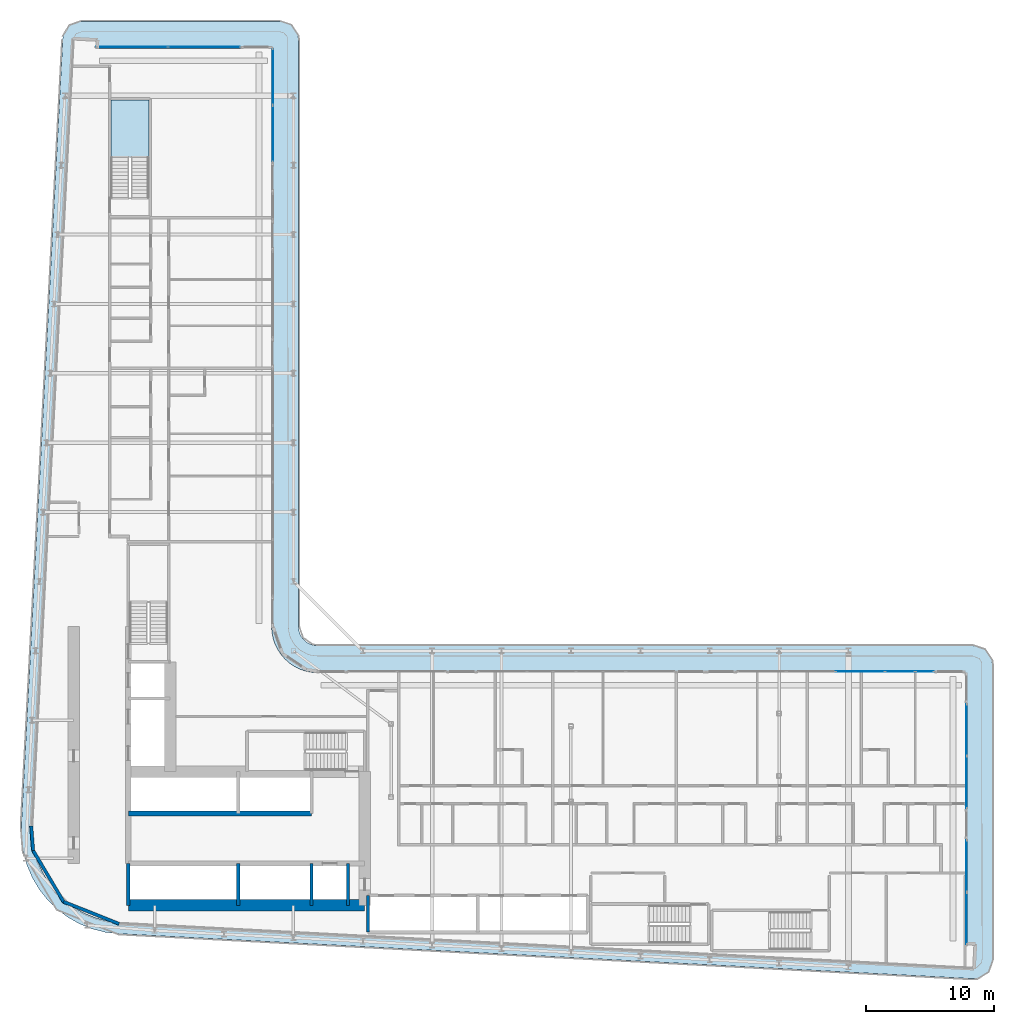
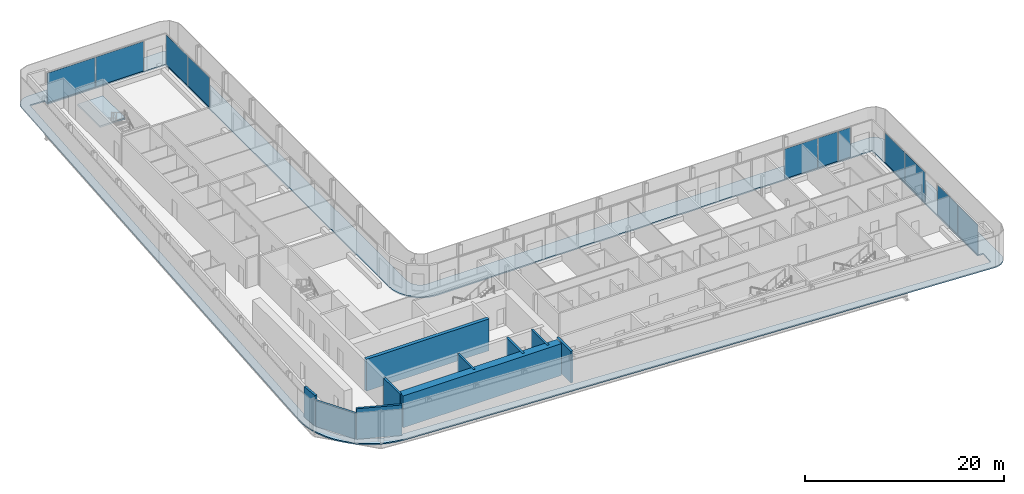
# One storey, part 11 of 26: 11 plates, 10 walls, 2 slabs, 6 elements without a shape of their own.
"""IFC4 building model written with IfcOpenShell, lengths in metres."""

from ifc_helpers import new_model, si_unit, direction, frame, frame_2d, origin, origin_2d, place, context, subcontext, project, spatial, polyline, rectangle, outline, extrude, material, layer, layer_set, type_object, element, aggregate, save


model = new_model("IFC4")

# Units and contexts
model_context = context("Model", 3, precision=1e-05, world=origin(), true_north=direction((0.0, 1.0)))
body_context = subcontext(model_context, "Body", "Model", "MODEL_VIEW")
ifc_project = project(units=[si_unit("LENGTHUNIT", "METRE"), si_unit("AREAUNIT", "SQUARE_METRE"), si_unit("VOLUMEUNIT", "CUBIC_METRE"), si_unit("PLANEANGLEUNIT", "RADIAN"), si_unit("MASSUNIT", "GRAM", prefix="KILO")], contexts=[model_context])

# Site, building, storey
site_placement = place(None, origin())
site = spatial("IfcSite", under=ifc_project, at=site_placement, CompositionType="ELEMENT")
building_placement = place(site_placement, origin())
building = spatial("IfcBuilding", under=site, at=building_placement, Name="Kheshtan School and Residences Tower", CompositionType="ELEMENT")
storey_placement = place(building_placement, frame((0.0, 0.0, 105.800048828125)))
storey = spatial("IfcBuildingStorey", under=building, at=storey_placement, Name="L24", CompositionType="ELEMENT", Elevation=105.800048828125)

# Curtain wall, plates
ifc_material_1 = material(Name="Clear low-e glass in thermally broken aluminium frame", Category="aluminium")
ifc_layer_1 = layer(ifc_material_1, 0.199951171875)
ifc_layer_set_1 = layer_set([ifc_layer_1], Name="Curtain wall CW-L")
curtain_wall_type = type_object("IfcCurtainWallType", Name="Curtain wall CW-L", PredefinedType="NOTDEFINED", material=ifc_layer_set_1)
curtain_wall_1_placement = place(storey_placement, origin())
curtain_wall_1 = element("IfcCurtainWall", 1, at=curtain_wall_1_placement, inside=storey, type_object=curtain_wall_type, Name="Curtain wall CWL3a", PredefinedType="NOTDEFINED")
ifc_layer_2 = layer(ifc_material_1, 0.031982421875)
ifc_layer_set_2 = layer_set([ifc_layer_2], Name="CW-L glass panel")
plate_type = type_object("IfcPlateType", Name="CW-L glass panel", PredefinedType="CURTAIN_PANEL", material=ifc_layer_set_2)
plate_1_placement = place(storey_placement, frame((35.0458984375, 92.60009765625, 0.0), z_axis=(0.0, 0.0, 1.0), x_axis=(1.0, 0.0, 0.0)))
plate_1 = element("IfcPlate", 2, at=plate_1_placement, type_object=plate_type, Name="CWL3a panel 1.1", PredefinedType="CURTAIN_PANEL", context=body_context, shape_type="SweptSolid", body=[
    extrude(rectangle(XDim=5.555908203125, YDim=0.031982421875, at=origin_2d()), origin(), (0.0, 0.0, 1.0), 3.6298828125),
])
plate_2_placement = place(storey_placement, frame((40.662109375, 92.60009765625, 0.0), z_axis=(0.0, 0.0, 1.0), x_axis=(1.0, 0.0, 0.0)))
plate_2 = element("IfcPlate", 3, at=plate_2_placement, type_object=plate_type, Name="CWL3a panel 2.1", PredefinedType="CURTAIN_PANEL", context=body_context, shape_type="SweptSolid", body=[
    extrude(rectangle(XDim=5.555908203125, YDim=0.031982421875, at=origin_2d()), origin(), (0.0, 0.0, 1.0), 3.6298828125),
])
aggregate(curtain_wall_1, [plate_1, plate_2])

curtain_wall_2_placement = place(storey_placement, origin())
curtain_wall_2 = element("IfcCurtainWall", 4, at=curtain_wall_2_placement, inside=storey, type_object=curtain_wall_type, Name="Curtain wall CWL4b", PredefinedType="NOTDEFINED")
plate_3_placement = place(storey_placement, frame((46.0, 90.26806640625, 0.0), z_axis=(0.0, 0.0, 1.0), x_axis=(0.0, -1.0, 0.0)))
plate_3 = element("IfcPlate", 5, at=plate_3_placement, type_object=plate_type, Name="CWL4b panel 1.1", PredefinedType="CURTAIN_PANEL", context=body_context, shape_type="SweptSolid", body=[
    extrude(rectangle(XDim=4.34375, YDim=0.031982421875, at=origin_2d()), origin(), (0.0, 0.0, 1.0), 3.6298828125),
])
plate_4_placement = place(storey_placement, frame((46.0, 85.8642578125, 0.0), z_axis=(0.0, 0.0, 1.0), x_axis=(0.0, -1.0, 0.0)))
plate_4 = element("IfcPlate", 6, at=plate_4_placement, type_object=plate_type, Name="CWL4b panel 2.1", PredefinedType="CURTAIN_PANEL", context=body_context, shape_type="SweptSolid", body=[
    extrude(rectangle(XDim=4.34375, YDim=0.031982421875, at=origin_2d()), origin(), (0.0, 0.0, 1.0), 3.6298828125),
])
aggregate(curtain_wall_2, [plate_3, plate_4])

curtain_wall_3_placement = place(storey_placement, origin())
curtain_wall_3 = element("IfcCurtainWall", 7, at=curtain_wall_3_placement, inside=storey, type_object=curtain_wall_type, Name="Curtain wall CWL8c", PredefinedType="NOTDEFINED")
plate_5_placement = place(storey_placement, frame((91.714599609375, 44.0, 0.0), z_axis=(0.0, 0.0, 1.0), x_axis=(1.0, 0.0, 0.0)))
plate_5 = element("IfcPlate", 8, at=plate_5_placement, type_object=plate_type, Name="CWL8c panel 1.1", PredefinedType="CURTAIN_PANEL", context=body_context, shape_type="SweptSolid", body=[
    extrude(rectangle(XDim=3.81689453125, YDim=0.031982421875, at=origin_2d()), origin(), (0.0, 0.0, 1.0), 3.6298828125),
])
plate_6_placement = place(storey_placement, frame((94.826416015625, 44.0, 0.0), z_axis=(0.0, 0.0, 1.0), x_axis=(1.0, 0.0, 0.0)))
plate_6 = element("IfcPlate", 9, at=plate_6_placement, type_object=plate_type, Name="CWL8c panel 2.1", PredefinedType="CURTAIN_PANEL", context=body_context, shape_type="SweptSolid", body=[
    extrude(rectangle(XDim=2.287109375, YDim=0.031982421875, at=origin_2d()), origin(), (0.0, 0.0, 1.0), 3.6298828125),
])
plate_7_placement = place(storey_placement, frame((96.735107421875, 44.0, 0.0), z_axis=(0.0, 0.0, 1.0), x_axis=(1.0, 0.0, 0.0)))
plate_7 = element("IfcPlate", 10, at=plate_7_placement, type_object=plate_type, Name="CWL8c panel 3.1", PredefinedType="CURTAIN_PANEL", context=body_context, shape_type="SweptSolid", body=[
    extrude(rectangle(XDim=1.409912109375, YDim=0.031982421875, at=origin_2d()), origin(), (0.0, 0.0, 1.0), 3.6298828125),
])
aggregate(curtain_wall_3, [plate_5, plate_6, plate_7])

curtain_wall_4_placement = place(storey_placement, origin())
curtain_wall_4 = element("IfcCurtainWall", 11, at=curtain_wall_4_placement, inside=storey, type_object=curtain_wall_type, Name="Curtain wall CWL9", PredefinedType="NOTDEFINED")
plate_8_placement = place(storey_placement, frame((100.0, 39.436767578125, 0.0), z_axis=(0.0, 0.0, 1.0), x_axis=(0.0, -1.0, 0.0)))
plate_8 = element("IfcPlate", 12, at=plate_8_placement, type_object=plate_type, Name="CWL9 panel 1.1", PredefinedType="CURTAIN_PANEL", context=body_context, shape_type="SweptSolid", body=[
    extrude(rectangle(XDim=4.006591796875, YDim=0.031982421875, at=origin_2d()), origin(), (0.0, 0.0, 1.0), 3.6298828125),
])
plate_9_placement = place(storey_placement, frame((100.0, 35.370361328125, 0.0), z_axis=(0.0, 0.0, 1.0), x_axis=(0.0, -1.0, 0.0)))
plate_9 = element("IfcPlate", 13, at=plate_9_placement, type_object=plate_type, Name="CWL9 panel 2.1", PredefinedType="CURTAIN_PANEL", context=body_context, shape_type="SweptSolid", body=[
    extrude(rectangle(XDim=4.006591796875, YDim=0.031982421875, at=origin_2d()), origin(), (0.0, 0.0, 1.0), 3.6298828125),
])
aggregate(curtain_wall_4, [plate_8, plate_9])

curtain_wall_5_placement = place(storey_placement, origin())
curtain_wall_5 = element("IfcCurtainWall", 14, at=curtain_wall_5_placement, inside=storey, type_object=curtain_wall_type, Name="Curtain wall CWL9", PredefinedType="NOTDEFINED")
plate_10_placement = place(storey_placement, frame((100.0, 28.84375, 0.0), z_axis=(0.0, 0.0, 1.0), x_axis=(0.0, -1.0, 0.0)))
plate_10 = element("IfcPlate", 15, at=plate_10_placement, type_object=plate_type, Name="CWL9 panel 1.1", PredefinedType="CURTAIN_PANEL", context=body_context, shape_type="SweptSolid", body=[
    extrude(rectangle(XDim=4.006591796875, YDim=0.031982421875, at=origin_2d()), origin(), (0.0, 0.0, 1.0), 3.6298828125),
])
plate_11_placement = place(storey_placement, frame((100.0, 24.77734375, 0.0), z_axis=(0.0, 0.0, 1.0), x_axis=(0.0, -1.0, 0.0)))
plate_11 = element("IfcPlate", 16, at=plate_11_placement, type_object=plate_type, Name="CWL9 panel 2.1", PredefinedType="CURTAIN_PANEL", context=body_context, shape_type="SweptSolid", body=[
    extrude(rectangle(XDim=4.006591796875, YDim=0.031982421875, at=origin_2d()), origin(), (0.0, 0.0, 1.0), 3.6298828125),
])
aggregate(curtain_wall_5, [plate_10, plate_11])

# Slab
ifc_material_2 = material(Name="Concrete C40/50", Category="concrete")
ifc_layer_3 = layer(ifc_material_2, 0.14990234375)
ifc_layer_set_3 = layer_set([ifc_layer_3], Name="Loggia balcony slab 150 Concrete C40/50")
slab_type_1 = type_object("IfcSlabType", Name="Loggia balcony slab 150 Concrete C40/50", PredefinedType="FLOOR", material=ifc_layer_set_3)
slab_1_placement = place(storey_placement, frame((0.0, 0.0, -0.150146484375)))
element("IfcSlab", 17, at=slab_1_placement, inside=storey, type_object=slab_type_1, Name="Loggia balcony slab L24", PredefinedType="FLOOR", context=body_context, shape_type="SweptSolid", body=[
    extrude(outline(polyline([(28.4580078125, 26.222900390625), (28.45703125, 26.222900390625), (28.45703125, 26.22412109375), (28.4560546875, 26.22412109375), (27.81494140625, 27.0390625), (27.281005859375, 27.93798828125), (26.867919921875, 28.89990234375), (26.583984375, 29.89990234375), (26.583984375, 29.906982421875), (26.43408203125, 30.943115234375), (26.419921875, 31.989013671875), (29.64111328125, 93.178955078125), (29.64697265625, 93.22705078125), (29.64697265625, 93.22802734375), (29.64599609375, 93.22802734375), (29.64599609375, 93.22900390625), (29.64501953125, 93.22900390625), (29.64501953125, 93.22998046875), (29.64404296875, 93.22998046875), (29.64404296875, 93.23095703125), (29.64306640625, 93.23095703125), (29.64306640625, 93.23193359375), (29.64306640625, 93.23291015625), (29.660888671875, 93.381103515625), (29.660888671875, 93.384033203125), (29.660888671875, 93.385009765625), (29.662109375, 93.385009765625), (29.662109375, 93.385986328125), (29.6630859375, 93.385986328125), (29.6630859375, 93.386962890625), (29.6640625, 93.386962890625), (29.6650390625, 93.386962890625), (29.6650390625, 93.387939453125), (29.666015625, 93.387939453125), (29.666015625, 93.388916015625), (29.666015625, 93.39111328125), (29.718994140625, 93.583984375), (29.799072265625, 93.77490234375), (29.905029296875, 93.952880859375), (30.027099609375, 94.10693359375), (30.028076171875, 94.10693359375), (30.028076171875, 94.10791015625), (30.029052734375, 94.10791015625), (30.029052734375, 94.10888671875), (30.030029296875, 94.10888671875), (30.030029296875, 94.110107421875), (30.031005859375, 94.110107421875), (30.031005859375, 94.111083984375), (30.031982421875, 94.111083984375), (30.031982421875, 94.112060546875), (30.032958984375, 94.112060546875), (30.032958984375, 94.113037109375), (30.033935546875, 94.113037109375), (30.037109375, 94.113037109375), (30.0380859375, 94.113037109375), (30.0380859375, 94.114013671875), (30.18408203125, 94.257080078125), (30.18505859375, 94.257080078125), (30.18505859375, 94.258056640625), (30.18603515625, 94.258056640625), (30.18603515625, 94.259033203125), (30.18701171875, 94.259033203125), (30.18701171875, 94.260009765625), (30.18798828125, 94.260009765625), (30.18798828125, 94.260986328125), (30.18896484375, 94.260986328125), (30.18896484375, 94.261962890625), (30.18994140625, 94.261962890625), (30.18994140625, 94.262939453125), (30.19091796875, 94.262939453125), (30.19091796875, 94.263916015625), (30.35205078125, 94.376953125), (30.534912109375, 94.472900390625), (30.722900390625, 94.54296875), (30.72998046875, 94.54296875), (30.93310546875, 94.5859375), (31.138916015625, 94.60009765625), (46.5, 94.60009765625), (46.696044921875, 94.5869140625), (46.887939453125, 94.549072265625), (46.89501953125, 94.549072265625), (47.073974609375, 94.486083984375), (47.242919921875, 94.40087890625), (47.243896484375, 94.40087890625), (47.2470703125, 94.40087890625), (47.248046875, 94.40087890625), (47.248046875, 94.402099609375), (47.2490234375, 94.402099609375), (47.2490234375, 94.403076171875), (47.25, 94.403076171875), (47.2529296875, 94.403076171875), (47.25390625, 94.403076171875), (47.25390625, 94.402099609375), (47.2548828125, 94.402099609375), (47.2548828125, 94.40087890625), (47.256103515625, 94.40087890625), (47.256103515625, 94.39990234375), (47.257080078125, 94.39990234375), (47.257080078125, 94.39892578125), (47.258056640625, 94.39892578125), (47.258056640625, 94.39794921875), (47.412109375, 94.2958984375), (47.4130859375, 94.2958984375), (47.4130859375, 94.294921875), (47.4140625, 94.294921875), (47.4140625, 94.2939453125), (47.4140625, 94.2900390625), (47.4140625, 94.2890625), (47.4150390625, 94.2890625), (47.4150390625, 94.2880859375), (47.416015625, 94.2880859375), (47.416015625, 94.287109375), (47.4169921875, 94.287109375), (47.4169921875, 94.285888671875), (47.554931640625, 94.16796875), (47.554931640625, 94.1669921875), (47.555908203125, 94.1669921875), (47.555908203125, 94.166015625), (47.556884765625, 94.166015625), (47.556884765625, 94.1650390625), (47.55810546875, 94.1650390625), (47.55810546875, 94.1640625), (47.55908203125, 94.1640625), (47.55908203125, 94.1630859375), (47.56005859375, 94.1630859375), (47.56005859375, 94.162109375), (47.56103515625, 94.162109375), (47.56201171875, 94.160888671875), (47.56201171875, 94.159912109375), (47.56298828125, 94.159912109375), (47.56298828125, 94.158935546875), (47.56396484375, 94.158935546875), (47.56396484375, 94.157958984375), (47.56494140625, 94.157958984375), (47.56494140625, 94.156982421875), (47.56591796875, 94.156982421875), (47.56591796875, 94.156005859375), (47.56689453125, 94.156005859375), (47.56689453125, 94.155029296875), (47.568115234375, 94.155029296875), (47.68505859375, 94.01806640625), (47.68603515625, 94.01806640625), (47.68603515625, 94.01708984375), (47.68701171875, 94.01708984375), (47.68701171875, 94.01611328125), (47.68798828125, 94.01611328125), (47.68798828125, 94.014892578125), (47.68896484375, 94.014892578125), (47.68896484375, 94.013916015625), (47.68994140625, 94.013916015625), (47.694091796875, 94.013916015625), (47.695068359375, 94.013916015625), (47.695068359375, 94.012939453125), (47.696044921875, 94.012939453125), (47.696044921875, 94.011962890625), (47.797119140625, 93.85888671875), (47.798095703125, 93.85888671875), (47.798095703125, 93.85791015625), (47.799072265625, 93.85791015625), (47.799072265625, 93.85693359375), (47.800048828125, 93.85693359375), (47.800048828125, 93.85595703125), (47.801025390625, 93.85595703125), (47.801025390625, 93.85498046875), (47.802001953125, 93.85498046875), (47.802001953125, 93.85400390625), (47.802978515625, 93.85400390625), (47.802978515625, 93.85302734375), (47.802978515625, 93.85009765625), (47.802978515625, 93.84912109375), (47.802001953125, 93.84912109375), (47.802001953125, 93.847900390625), (47.801025390625, 93.847900390625), (47.801025390625, 93.846923828125), (47.801025390625, 93.843994140625), (47.801025390625, 93.843017578125), (47.885986328125, 93.674072265625), (47.948974609375, 93.4951171875), (47.948974609375, 93.488037109375), (47.987060546875, 93.2958984375), (48.0, 93.10009765625), (48.0, 47.5), (48.012939453125, 47.303955078125), (48.051025390625, 47.113037109375), (48.051025390625, 47.10693359375), (48.051025390625, 47.10595703125), (48.114013671875, 46.926025390625), (48.200927734375, 46.75), (48.31005859375, 46.5869140625), (48.431884765625, 46.444091796875), (48.43310546875, 46.444091796875), (48.43310546875, 46.443115234375), (48.43408203125, 46.443115234375), (48.43408203125, 46.44189453125), (48.43505859375, 46.44189453125), (48.43505859375, 46.44091796875), (48.43603515625, 46.44091796875), (48.43603515625, 46.43994140625), (48.43701171875, 46.43994140625), (48.43701171875, 46.43896484375), (48.43798828125, 46.43896484375), (48.43896484375, 46.43798828125), (48.43896484375, 46.43701171875), (48.43994140625, 46.43701171875), (48.43994140625, 46.43603515625), (48.44091796875, 46.43603515625), (48.44091796875, 46.43505859375), (48.44189453125, 46.43505859375), (48.44189453125, 46.43408203125), (48.443115234375, 46.43408203125), (48.443115234375, 46.43310546875), (48.444091796875, 46.43310546875), (48.444091796875, 46.431884765625), (48.5869140625, 46.31005859375), (48.75, 46.200927734375), (48.926025390625, 46.114013671875), (49.10595703125, 46.051025390625), (49.10693359375, 46.051025390625), (49.113037109375, 46.051025390625), (49.303955078125, 46.012939453125), (49.5, 46.0), (100.5, 46.0), (100.696044921875, 45.987060546875), (100.887939453125, 45.948974609375), (100.89501953125, 45.948974609375), (101.073974609375, 45.885986328125), (101.241943359375, 45.801025390625), (101.242919921875, 45.801025390625), (101.2470703125, 45.801025390625), (101.248046875, 45.801025390625), (101.248046875, 45.802001953125), (101.2490234375, 45.802001953125), (101.2490234375, 45.802978515625), (101.25, 45.802978515625), (101.2529296875, 45.802978515625), (101.25390625, 45.802978515625), (101.25390625, 45.802001953125), (101.2548828125, 45.802001953125), (101.2548828125, 45.801025390625), (101.256103515625, 45.801025390625), (101.256103515625, 45.800048828125), (101.257080078125, 45.800048828125), (101.257080078125, 45.799072265625), (101.258056640625, 45.799072265625), (101.258056640625, 45.798095703125), (101.259033203125, 45.798095703125), (101.259033203125, 45.797119140625), (101.260009765625, 45.797119140625), (101.260009765625, 45.7958984375), (101.412109375, 45.696044921875), (101.4130859375, 45.696044921875), (101.4130859375, 45.695068359375), (101.4140625, 45.695068359375), (101.4140625, 45.694091796875), (101.4140625, 45.68994140625), (101.4140625, 45.68896484375), (101.4150390625, 45.68896484375), (101.4150390625, 45.68798828125), (101.416015625, 45.68798828125), (101.416015625, 45.68701171875), (101.4169921875, 45.68701171875), (101.4169921875, 45.68603515625), (101.41796875, 45.68603515625), (101.41796875, 45.68505859375), (101.4189453125, 45.68505859375), (101.4189453125, 45.68408203125), (101.554931640625, 45.568115234375), (101.554931640625, 45.56689453125), (101.555908203125, 45.56689453125), (101.555908203125, 45.56591796875), (101.556884765625, 45.56591796875), (101.556884765625, 45.56494140625), (101.55810546875, 45.56494140625), (101.55810546875, 45.56396484375), (101.55908203125, 45.56396484375), (101.55908203125, 45.56298828125), (101.56005859375, 45.56298828125), (101.56005859375, 45.56201171875), (101.56103515625, 45.56201171875), (101.56201171875, 45.56103515625), (101.56201171875, 45.56005859375), (101.56298828125, 45.56005859375), (101.56298828125, 45.55908203125), (101.56396484375, 45.55908203125), (101.56396484375, 45.55810546875), (101.56494140625, 45.55810546875), (101.56494140625, 45.556884765625), (101.56591796875, 45.556884765625), (101.56591796875, 45.555908203125), (101.56689453125, 45.555908203125), (101.56689453125, 45.554931640625), (101.568115234375, 45.554931640625), (101.681884765625, 45.4208984375), (101.68310546875, 45.4208984375), (101.68310546875, 45.419921875), (101.68408203125, 45.419921875), (101.68408203125, 45.4189453125), (101.68505859375, 45.4189453125), (101.68505859375, 45.41796875), (101.68603515625, 45.41796875), (101.68603515625, 45.4169921875), (101.68701171875, 45.4169921875), (101.68701171875, 45.416015625), (101.68798828125, 45.416015625), (101.68798828125, 45.4150390625), (101.68896484375, 45.4150390625), (101.68896484375, 45.4140625), (101.68994140625, 45.4140625), (101.694091796875, 45.4140625), (101.695068359375, 45.4140625), (101.695068359375, 45.4130859375), (101.696044921875, 45.4130859375), (101.696044921875, 45.412109375), (101.7939453125, 45.261962890625), (101.794921875, 45.261962890625), (101.794921875, 45.260986328125), (101.7958984375, 45.260986328125), (101.7958984375, 45.260009765625), (101.797119140625, 45.260009765625), (101.797119140625, 45.259033203125), (101.798095703125, 45.259033203125), (101.798095703125, 45.258056640625), (101.799072265625, 45.258056640625), (101.799072265625, 45.257080078125), (101.800048828125, 45.257080078125), (101.800048828125, 45.256103515625), (101.801025390625, 45.256103515625), (101.801025390625, 45.2548828125), (101.802001953125, 45.2548828125), (101.802001953125, 45.25390625), (101.802978515625, 45.25390625), (101.802978515625, 45.2529296875), (101.802978515625, 45.25), (101.802978515625, 45.2490234375), (101.802001953125, 45.2490234375), (101.802001953125, 45.248046875), (101.801025390625, 45.248046875), (101.801025390625, 45.2470703125), (101.801025390625, 45.240966796875), (101.801025390625, 45.239990234375), (101.885986328125, 45.073974609375), (101.948974609375, 44.89501953125), (101.948974609375, 44.887939453125), (101.987060546875, 44.696044921875), (102.0, 44.5), (102.0, 21.5810546875), (101.986083984375, 21.37890625), (101.945068359375, 21.179931640625), (101.945068359375, 21.173095703125), (101.8779296875, 20.989013671875), (101.785888671875, 20.80810546875), (101.6708984375, 20.64306640625), (101.6708984375, 20.64208984375), (101.6708984375, 20.64111328125), (101.6708984375, 20.639892578125), (101.672119140625, 20.639892578125), (101.672119140625, 20.638916015625), (101.672119140625, 20.636962890625), (101.672119140625, 20.635986328125), (101.6708984375, 20.635986328125), (101.6708984375, 20.635009765625), (101.5380859375, 20.491943359375), (101.534912109375, 20.489013671875), (101.533935546875, 20.489013671875), (101.533935546875, 20.488037109375), (101.532958984375, 20.488037109375), (101.531005859375, 20.488037109375), (101.530029296875, 20.488037109375), (101.530029296875, 20.489013671875), (101.529052734375, 20.489013671875), (101.528076171875, 20.489013671875), (101.527099609375, 20.489013671875), (101.3759765625, 20.364013671875), (101.2041015625, 20.256103515625), (101.01904296875, 20.174072265625), (100.8310546875, 20.116943359375), (100.823974609375, 20.116943359375), (100.6240234375, 20.0859375), (100.4208984375, 20.0830078125), (33.989013671875, 23.580078125), (33.94189453125, 23.5859375), (33.94091796875, 23.5859375), (33.93994140625, 23.5859375), (33.93994140625, 23.5849609375), (33.93896484375, 23.5849609375), (33.93896484375, 23.583984375), (33.93798828125, 23.583984375), (33.93798828125, 23.5830078125), (33.93701171875, 23.5830078125), (33.93701171875, 23.58203125), (33.93603515625, 23.58203125), (33.93505859375, 23.58203125), (32.952880859375, 23.697998046875), (32.949951171875, 23.697998046875), (32.948974609375, 23.697998046875), (32.948974609375, 23.698974609375), (32.947998046875, 23.698974609375), (32.947998046875, 23.699951171875), (32.947021484375, 23.699951171875), (32.947021484375, 23.700927734375), (32.947021484375, 23.702880859375), (32.947021484375, 23.7041015625), (32.946044921875, 23.7041015625), (32.946044921875, 23.705078125), (32.945068359375, 23.705078125), (32.944091796875, 23.705078125), (31.93603515625, 23.9609375), (31.928955078125, 23.9609375), (30.964111328125, 24.34912109375), (30.051025390625, 24.860107421875), (29.218994140625, 25.47900390625), (29.218994140625, 25.47998046875), (29.218017578125, 25.47998046875), (29.218017578125, 25.48095703125), (29.217041015625, 25.48095703125), (29.217041015625, 25.48193359375), (29.216064453125, 25.48193359375), (29.216064453125, 25.48291015625), (29.215087890625, 25.48291015625), (29.215087890625, 25.48388671875), (29.214111328125, 25.48388671875), (29.214111328125, 25.485107421875), (29.212890625, 25.485107421875), (29.212890625, 25.486083984375), (29.2119140625, 25.486083984375), (28.467041015625, 26.217041015625), (28.467041015625, 26.218017578125), (28.466064453125, 26.218017578125), (28.462890625, 26.218017578125), (28.4619140625, 26.218017578125), (28.4619140625, 26.218994140625), (28.4609375, 26.218994140625), (28.4609375, 26.219970703125), (28.4599609375, 26.219970703125), (28.4599609375, 26.220947265625), (28.458984375, 26.220947265625), (28.458984375, 26.221923828125), (28.4580078125, 26.221923828125), (28.4580078125, 26.222900390625)]), holes=[polyline([(27.466064453125, 30.0869140625), (27.718017578125, 29.200927734375), (28.0849609375, 28.345947265625), (28.55908203125, 27.550048828125), (29.126953125, 26.825927734375), (29.1279296875, 26.825927734375), (29.1279296875, 26.824951171875), (29.12890625, 26.824951171875), (29.12890625, 26.823974609375), (29.1298828125, 26.823974609375), (29.1298828125, 26.822998046875), (29.131103515625, 26.822998046875), (29.131103515625, 26.822021484375), (29.132080078125, 26.822021484375), (29.132080078125, 26.821044921875), (29.133056640625, 26.821044921875), (29.133056640625, 26.820068359375), (29.134033203125, 26.820068359375), (29.794921875, 26.173095703125), (29.794921875, 26.172119140625), (29.7958984375, 26.172119140625), (29.798095703125, 26.172119140625), (29.799072265625, 26.172119140625), (29.799072265625, 26.1708984375), (29.800048828125, 26.1708984375), (29.800048828125, 26.169921875), (29.801025390625, 26.169921875), (29.801025390625, 26.1689453125), (29.802001953125, 26.1689453125), (29.802001953125, 26.16796875), (29.802978515625, 26.16796875), (29.802978515625, 26.1669921875), (29.803955078125, 26.1669921875), (29.803955078125, 26.166015625), (30.541015625, 25.616943359375), (31.35205078125, 25.1630859375), (32.208984375, 24.819091796875), (32.2099609375, 24.819091796875), (32.216064453125, 24.819091796875), (33.114990234375, 24.590087890625), (34.06591796875, 24.47705078125), (100.43798828125, 20.98291015625), (100.465087890625, 20.98388671875), (100.466064453125, 20.98388671875), (100.467041015625, 20.98388671875), (100.467041015625, 20.985107421875), (100.468017578125, 20.985107421875), (100.468017578125, 20.986083984375), (100.468017578125, 20.987060546875), (100.55810546875, 22.676025390625), (100.55810546875, 22.677001953125), (100.55810546875, 22.677978515625), (100.556884765625, 22.677978515625), (100.556884765625, 22.678955078125), (100.555908203125, 22.678955078125), (100.554931640625, 22.678955078125), (99.90087890625, 22.714111328125), (99.89990234375, 22.714111328125), (99.89990234375, 22.715087890625), (99.89990234375, 43.89794921875), (99.89990234375, 43.89892578125), (99.89892578125, 43.89892578125), (99.89892578125, 43.89990234375), (99.89794921875, 43.89990234375), (49.429931640625, 43.89990234375), (49.030029296875, 43.927001953125), (48.569091796875, 44.01806640625), (48.56201171875, 44.01806640625), (48.1201171875, 44.169921875), (47.697021484375, 44.37890625), (47.30810546875, 44.638916015625), (46.95703125, 44.944091796875), (46.95703125, 44.945068359375), (46.9560546875, 44.945068359375), (46.9560546875, 44.946044921875), (46.955078125, 44.946044921875), (46.955078125, 44.947021484375), (46.9541015625, 44.947021484375), (46.9541015625, 44.947998046875), (46.952880859375, 44.947998046875), (46.952880859375, 44.948974609375), (46.951904296875, 44.948974609375), (46.951904296875, 44.949951171875), (46.951904296875, 44.950927734375), (46.950927734375, 44.950927734375), (46.950927734375, 44.951904296875), (46.949951171875, 44.951904296875), (46.948974609375, 44.951904296875), (46.948974609375, 44.952880859375), (46.947998046875, 44.952880859375), (46.947998046875, 44.9541015625), (46.947021484375, 44.9541015625), (46.947021484375, 44.955078125), (46.946044921875, 44.955078125), (46.946044921875, 44.9560546875), (46.945068359375, 44.9560546875), (46.945068359375, 44.95703125), (46.944091796875, 44.95703125), (46.638916015625, 45.30810546875), (46.37890625, 45.697021484375), (46.169921875, 46.1201171875), (46.01806640625, 46.56201171875), (46.01806640625, 46.569091796875), (45.927001953125, 47.030029296875), (45.89990234375, 47.429931640625), (45.89990234375, 92.498046875), (45.89990234375, 92.4990234375), (45.89892578125, 92.4990234375), (45.89892578125, 92.5), (45.89794921875, 92.5), (32.208984375, 92.5), (32.2080078125, 92.5), (32.237060546875, 93.0390625), (32.237060546875, 93.0400390625), (32.237060546875, 93.041015625), (32.236083984375, 93.041015625), (32.236083984375, 93.0419921875), (32.235107421875, 93.0419921875), (32.23388671875, 93.0419921875), (30.544921875, 93.132080078125), (30.5439453125, 93.132080078125), (30.54296875, 93.132080078125), (30.54296875, 93.131103515625), (30.5419921875, 93.131103515625), (30.5419921875, 93.1298828125), (30.5419921875, 93.12890625), (30.5380859375, 93.10107421875), (27.320068359375, 31.970947265625), (27.3330078125, 31.013916015625), (27.466064453125, 30.093994140625), (27.466064453125, 30.087890625), (27.466064453125, 30.0869140625)])]), origin(), (0.0, 0.0, 1.0), 0.150146484375),
])

# Stair, slab
stair_type = type_object("IfcStairType", Name="Exit stair, half-turn", PredefinedType="HALF_TURN_STAIR", material=ifc_material_2)
stair_placement = place(storey_placement, origin())
stair = element("IfcStair", 18, at=stair_placement, inside=storey, type_object=stair_type, Name="L24 Protected Exit Stair ST3", PredefinedType="HALF_TURN_STAIR")
ifc_layer_4 = layer(ifc_material_2, 0.199951171875)
ifc_layer_set_4 = layer_set([ifc_layer_4], Name="Stair landing 200 Concrete C40/50")
slab_type_2 = type_object("IfcSlabType", Name="Stair landing 200 Concrete C40/50", PredefinedType="LANDING", material=ifc_layer_set_4)
slab_2_placement = place(storey_placement, frame((0.0, 0.0, 1.75)))
slab_2 = element("IfcSlab", 19, at=slab_2_placement, type_object=slab_type_2, Name="ST3 landing 1", PredefinedType="LANDING", context=body_context, shape_type="SweptSolid", body=[
    extrude(outline(polyline([(36.35009765625, 83.97998046875), (36.35009765625, 88.4599609375), (33.39990234375, 88.4599609375), (33.39990234375, 83.97998046875), (36.35009765625, 83.97998046875)])), origin(), (0.0, 0.0, 1.0), 0.199951171875),
])
aggregate(stair, [slab_2])

# Walls
ifc_material_3 = material(Name="Concrete C50/60", Category="concrete")
ifc_layer_5 = layer(ifc_material_3, 0.39990234375)
ifc_layer_set_5 = layer_set([ifc_layer_5], Name="Core wall 400 Concrete C50/60")
wall_type_1 = type_object("IfcWallType", Name="Core wall 400 Concrete C50/60", PredefinedType="SHEAR", material=ifc_layer_set_5)
wall_1_placement = place(storey_placement, frame((34.75, 32.949951171875, 0.0), z_axis=(0.0, 0.0, 1.0), x_axis=(1.0, 0.0, 0.0)))
element("IfcWall", 20, at=wall_1_placement, inside=storey, type_object=wall_type_1, Name="Core wall CW-HALL-S2", PredefinedType="SHEAR", context=body_context, shape_type="SweptSolid", body=[
    extrude(rectangle(XDim=14.25, YDim=0.39990234375, at=frame_2d((7.125, 0.0))), origin(), (0.0, 0.0, 1.0), 3.89990234375),
])
ifc_material_4 = material(Name="Concrete C80/95", Category="concrete")
ifc_layer_6 = layer(ifc_material_4, 0.89990234375)
ifc_layer_set_6 = layer_set([ifc_layer_6], Name="Core wall 900 Concrete C80/95")
wall_type_2 = type_object("IfcWallType", Name="Core wall 900 Concrete C80/95", PredefinedType="SHEAR", material=ifc_layer_set_6)
wall_2_placement = place(storey_placement, frame((34.75, 25.800048828125, 0.0), z_axis=(0.0, 0.0, 1.0), x_axis=(1.0, 0.0, 0.0)))
element("IfcWall", 21, at=wall_2_placement, inside=storey, type_object=wall_type_2, Name="Core wall CW-REAR-S", PredefinedType="SHEAR", context=body_context, shape_type="SweptSolid", body=[
    extrude(rectangle(XDim=18.39990234375, YDim=0.89990234375, at=frame_2d((9.199951171875, 0.0))), origin(), (0.0, 0.0, 1.0), 3.89990234375),
])
ifc_material_5 = material(Name="Concrete C40/50 with ceramic cladding and mineral wool insulation", Category="concrete")
ifc_layer_7 = layer(ifc_material_5, 0.25)
ifc_layer_set_7 = layer_set([ifc_layer_7], Name="External wall 250 ceramic clad")
wall_type_3 = type_object("IfcWallType", Name="External wall 250 ceramic clad", PredefinedType="SOLIDWALL", material=ifc_layer_set_7)
wall_3_placement = place(storey_placement, frame((34.0390625, 24.35302734375, 0.0), z_axis=(0.0, 0.0, 1.0), x_axis=(-0.929352825399, 0.369192803184, 0.0)))
element("IfcWall", 22, at=wall_3_placement, inside=storey, type_object=wall_type_3, Name="External wall L24 13", PredefinedType="SOLIDWALL", context=body_context, shape_type="SweptSolid", body=[
    extrude(rectangle(XDim=4.656005859375, YDim=0.25, at=frame_2d((2.328125, 0.0))), origin(), (0.0, 0.0, 1.0), 3.75),
])
wall_4_placement = place(storey_placement, frame((29.7119140625, 26.072021484375, 0.0), z_axis=(0.0, 0.0, 1.0), x_axis=(-0.511028049012, 0.859564036662, 0.0)))
element("IfcWall", 23, at=wall_4_placement, inside=storey, type_object=wall_type_3, Name="External wall L24 14", PredefinedType="SOLIDWALL", context=body_context, shape_type="SweptSolid", body=[
    extrude(rectangle(XDim=4.633544921875, YDim=0.25, at=frame_2d((2.31689453125, 0.0))), origin(), (0.0, 0.0, 1.0), 3.14697265625),
])
wall_5_placement = place(storey_placement, frame((27.343994140625, 30.054931640625, 0.0), z_axis=(0.0, 0.0, 1.0), x_axis=(-0.077571675317, 0.99698677784, 0.0)))
element("IfcWall", 24, at=wall_5_placement, inside=storey, type_object=wall_type_3, Name="External wall L24 15", PredefinedType="SOLIDWALL", context=body_context, shape_type="SweptSolid", body=[
    extrude(rectangle(XDim=1.919921875, YDim=0.25, at=frame_2d((0.9599609375, 0.0))), origin(), (0.0, 0.0, 1.0), 3.75),
])
ifc_material_6 = material(Name="Fire-board shaft wall system")
ifc_layer_8 = layer(ifc_material_6, 0.25)
ifc_layer_set_8 = layer_set([ifc_layer_8], Name="Shaft lining wall 250")
wall_type_4 = type_object("IfcWallType", Name="Shaft lining wall 250", PredefinedType="PARTITIONING", material=ifc_layer_set_8)
for number, where, z_axis, x_axis, name in (
    (25, (34.75, 25.800048828125, 0.0), (0.0, 0.0, 1.0), (0.0, 1.0, 0.0), "Shaft lining wall"),
    (26, (43.300048828125, 25.800048828125, 0.0), (0.0, 0.0, 1.0), (0.0, 1.0, 0.0), "Shaft lining wall"),
    (27, (49.0, 25.800048828125, 0.0), (0.0, 0.0, 1.0), (0.0, 1.0, 0.0), "Shaft lining wall"),
    (28, (51.85009765625, 25.800048828125, 0.0), (0.0, 0.0, 1.0), (0.0, 1.0, 0.0), "Shaft lining wall"),
):
    element("IfcWall", number, at=place(storey_placement, frame(where, z_axis=z_axis, x_axis=x_axis)), inside=storey, type_object=wall_type_4, Name=name, PredefinedType="PARTITIONING", context=body_context, shape_type="SweptSolid", body=[
        extrude(rectangle(XDim=3.25, YDim=0.25, at=frame_2d((1.625, 0.0))), origin(), (0.0, 0.0, 1.0), 3.89990234375),
    ])
wall_6_placement = place(storey_placement, frame((53.39990234375, 23.699951171875, 0.0), z_axis=(0.0, 0.0, 1.0), x_axis=(0.0, 1.0, 0.0)))
element("IfcWall", 29, at=wall_6_placement, inside=storey, type_object=wall_type_4, Name="Shaft lining wall", PredefinedType="PARTITIONING", context=body_context, shape_type="SweptSolid", body=[
    extrude(rectangle(XDim=2.85009765625, YDim=0.25, at=frame_2d((1.425048828125, 0.0))), origin(), (0.0, 0.0, 1.0), 3.89990234375),
])

save(model, "model.ifc")
